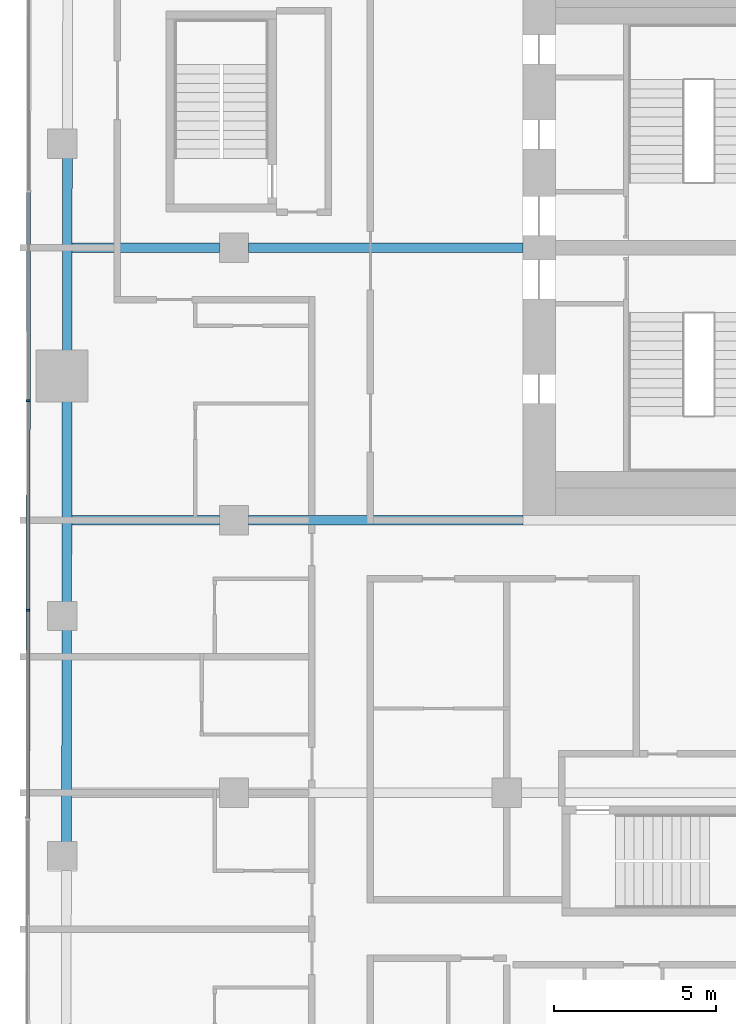
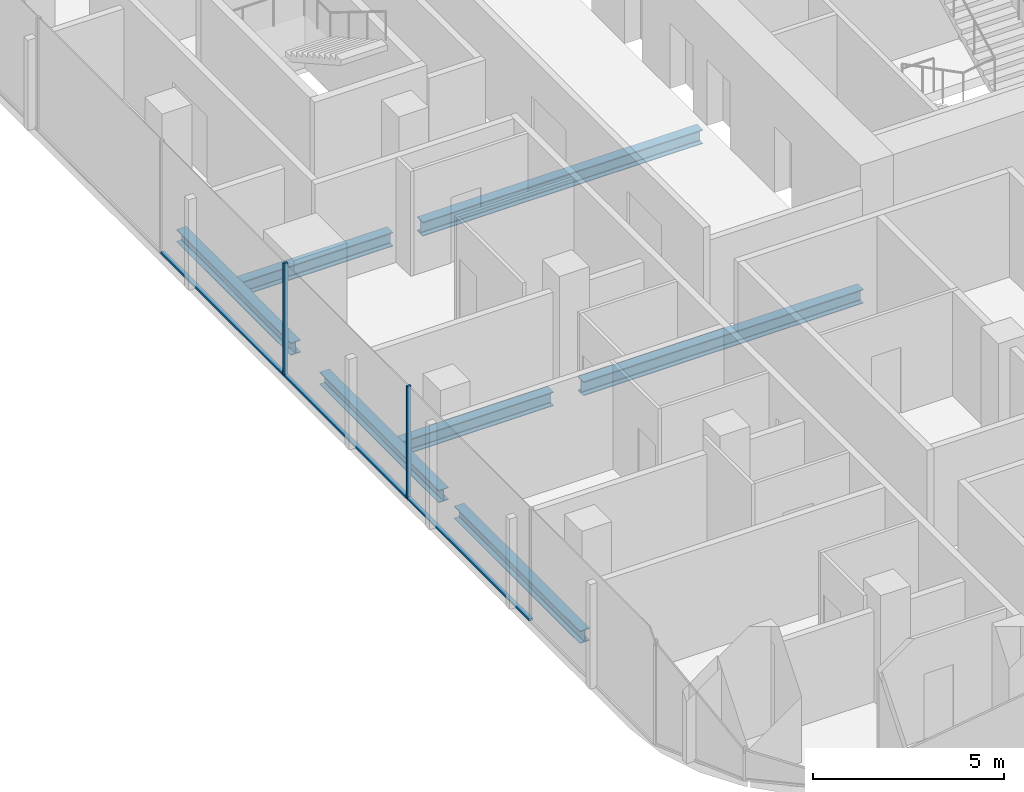
# One storey, part 4 of 23: 7 beams, 5 members, 1 element without a shape of its own.
"""IFC4 building model written with IfcOpenShell, lengths in metres."""

from ifc_helpers import new_model, si_unit, direction, frame, origin, origin_2d, place, context, subcontext, project, spatial, rectangle, i_section, extrude, material, layer, layer_set, material_profile, profile_set, type_object, element, aggregate, save


model = new_model("IFC4")

# Units and contexts
model_context = context("Model", 3, precision=1e-05, world=origin(), true_north=direction((0.0, 1.0)))
body_context = subcontext(model_context, "Body", "Model", "MODEL_VIEW")
ifc_project = project(units=[si_unit("LENGTHUNIT", "METRE"), si_unit("AREAUNIT", "SQUARE_METRE"), si_unit("VOLUMEUNIT", "CUBIC_METRE"), si_unit("PLANEANGLEUNIT", "RADIAN"), si_unit("MASSUNIT", "GRAM", prefix="KILO")], contexts=[model_context])

# Site, building, storey
site_placement = place(None, origin())
site = spatial("IfcSite", under=ifc_project, at=site_placement, CompositionType="ELEMENT")
building_placement = place(site_placement, origin())
building = spatial("IfcBuilding", under=site, at=building_placement, Name="Marenta Gate Hotel Tower", CompositionType="ELEMENT")
storey_placement = place(building_placement, frame((0.0, 0.0, 148.10009765625)))
storey = spatial("IfcBuildingStorey", under=building, at=storey_placement, Name="L34", CompositionType="ELEMENT", Elevation=148.10009765625)

# Beams
ifc_material_1 = material(Name="Steel S355", Category="steel")
ifc_material_profile_1 = material_profile(ifc_material_1, i_section(OverallWidth=0.300048828125, OverallDepth=0.39990234375, WebThickness=0.013427734375, FlangeThickness=0.02392578125, FilletRadius=0.027099609375, at=origin_2d()), Name="HEB 400")
ifc_profile_set_1 = profile_set([ifc_material_profile_1], Name="Steel S355")
beam_type_1 = type_object("IfcBeamType", Name="Edge beam HEB 400", PredefinedType="SPANDREL", material=ifc_profile_set_1)
beam_1_placement = place(storey_placement, frame((-26.167236328125, -9.94189453125, -0.460205078125), z_axis=(0.001372605919, 0.999999057976, 0.0), x_axis=(-0.999999057976, 0.001372605919, 0.0)))
element("IfcBeam", 1, at=beam_1_placement, inside=storey, type_object=beam_type_1, Name="L34-EB-6", PredefinedType="SPANDREL", context=body_context, shape_type="SweptSolid", body=[
    extrude(i_section(OverallWidth=0.300048828125, OverallDepth=0.39990234375, WebThickness=0.013427734375, FlangeThickness=0.02392578125, FilletRadius=0.027099609375, at=origin_2d()), origin(), (0.0, 0.0, 1.0), 6.5810546875),
])
beam_2_placement = place(storey_placement, frame((-26.156982421875, -2.541015625, -0.460205078125), z_axis=(0.001371364591, 0.999999059679, 0.0), x_axis=(-0.999999059679, 0.001371364591, 0.0)))
element("IfcBeam", 2, at=beam_2_placement, inside=storey, type_object=beam_type_1, Name="L34-EB-7", PredefinedType="SPANDREL", context=body_context, shape_type="SweptSolid", body=[
    extrude(i_section(OverallWidth=0.300048828125, OverallDepth=0.39990234375, WebThickness=0.013427734375, FlangeThickness=0.02392578125, FilletRadius=0.027099609375, at=origin_2d()), origin(), (0.0, 0.0, 1.0), 6.23095703125),
])
beam_3_placement = place(storey_placement, frame((-26.146484375, 5.2099609375, -0.460205078125), z_axis=(0.001387357379, 0.999999037619, 0.0), x_axis=(-0.999999037619, 0.001387357379, 0.0)))
element("IfcBeam", 3, at=beam_3_placement, inside=storey, type_object=beam_type_1, Name="L34-EB-8", PredefinedType="SPANDREL", context=body_context, shape_type="SweptSolid", body=[
    extrude(i_section(OverallWidth=0.300048828125, OverallDepth=0.39990234375, WebThickness=0.013427734375, FlangeThickness=0.02392578125, FilletRadius=0.027099609375, at=origin_2d()), origin(), (0.0, 0.0, 1.0), 5.983154296875),
])
ifc_material_2 = material(Name="Steel S355", Category="steel")
ifc_material_profile_2 = material_profile(ifc_material_2, i_section(OverallWidth=0.300048828125, OverallDepth=0.449951171875, WebThickness=0.013916015625, FlangeThickness=0.02587890625, FilletRadius=0.027099609375, at=origin_2d()), Name="HEB 450")
ifc_profile_set_2 = profile_set([ifc_material_profile_2], Name="Steel S355")
beam_type_2 = type_object("IfcBeamType", Name="Girder HEB 450", PredefinedType="BEAM", material=ifc_profile_set_2)
beam_4_placement = place(storey_placement, frame((-26.003662109375, 0.0, -0.485107421875), z_axis=(1.0, 0.0, 0.0), x_axis=(0.0, 1.0, 0.0)))
element("IfcBeam", 4, at=beam_4_placement, inside=storey, type_object=beam_type_2, Name="L34-GD-15", PredefinedType="BEAM", context=body_context, shape_type="SweptSolid", body=[
    extrude(i_section(OverallWidth=0.300048828125, OverallDepth=0.449951171875, WebThickness=0.013916015625, FlangeThickness=0.02587890625, FilletRadius=0.027099609375, at=origin_2d()), origin(), (0.0, 0.0, 1.0), 4.5537109375),
])
beam_5_placement = place(storey_placement, frame((-20.550048828125, 0.0, -0.485107421875), z_axis=(1.0, 0.0, 0.0), x_axis=(0.0, 1.0, 0.0)))
element("IfcBeam", 5, at=beam_5_placement, inside=storey, type_object=beam_type_2, Name="L34-GD-16", PredefinedType="BEAM", context=body_context, shape_type="SweptSolid", body=[
    extrude(i_section(OverallWidth=0.300048828125, OverallDepth=0.449951171875, WebThickness=0.013916015625, FlangeThickness=0.02587890625, FilletRadius=0.027099609375, at=origin_2d()), origin(), (0.0, 0.0, 1.0), 8.449951171875),
])
beam_6_placement = place(storey_placement, frame((-25.991943359375, 8.39990234375, -0.485107421875), z_axis=(1.0, 0.0, 0.0), x_axis=(0.0, 1.0, 0.0)))
element("IfcBeam", 6, at=beam_6_placement, inside=storey, type_object=beam_type_2, Name="L34-GD-20", PredefinedType="BEAM", context=body_context, shape_type="SweptSolid", body=[
    extrude(i_section(OverallWidth=0.300048828125, OverallDepth=0.449951171875, WebThickness=0.013916015625, FlangeThickness=0.02587890625, FilletRadius=0.027099609375, at=origin_2d()), origin(), (0.0, 0.0, 1.0), 4.5419921875),
])
beam_7_placement = place(storey_placement, frame((-20.550048828125, 8.39990234375, -0.485107421875), z_axis=(1.0, 0.0, 0.0), x_axis=(0.0, 1.0, 0.0)))
element("IfcBeam", 7, at=beam_7_placement, inside=storey, type_object=beam_type_2, Name="L34-GD-21", PredefinedType="BEAM", context=body_context, shape_type="SweptSolid", body=[
    extrude(i_section(OverallWidth=0.300048828125, OverallDepth=0.449951171875, WebThickness=0.013916015625, FlangeThickness=0.02587890625, FilletRadius=0.027099609375, at=origin_2d()), origin(), (0.0, 0.0, 1.0), 8.449951171875),
])

# Curtain wall, members
ifc_material_3 = material(Name="Tinted insulated glass in bronze anodised frame", Category="glass")
ifc_layer = layer(ifc_material_3, 0.1201171875)
ifc_layer_set = layer_set([ifc_layer], Name="Tinted insulated glass in bronze anodised frame")
curtain_wall_type = type_object("IfcCurtainWallType", Name="Tower unitised curtain wall CW1", PredefinedType="NOTDEFINED", material=ifc_layer_set)
curtain_wall_placement = place(storey_placement, origin())
curtain_wall = element("IfcCurtainWall", 8, at=curtain_wall_placement, inside=storey, type_object=curtain_wall_type, Name="CW1 run G03", PredefinedType="NOTDEFINED")
ifc_material_4 = material(Name="Bronze anodised aluminium", Category="aluminium")
ifc_material_profile_3 = material_profile(ifc_material_4, rectangle(XDim=0.1201171875, YDim=0.06005859375, at=origin_2d()), Name="Mullion CW1 60x120 bronze anodised aluminium")
ifc_profile_set_3 = profile_set([ifc_material_profile_3], Name="Bronze anodised aluminium")
member_type_1 = type_object("IfcMemberType", Name="Mullion CW1 60x120 bronze anodised aluminium", PredefinedType="MULLION", material=ifc_profile_set_3)
member_1_placement = place(storey_placement, frame((-27.342529296875, 3.686279296875, 0.0), z_axis=(0.0, 0.0, 1.0), x_axis=(0.99999877375, -0.001566045546, 0.0)))
member_1 = element("IfcMember", 9, at=member_1_placement, type_object=member_type_1, Name="CW1 mullion 4", PredefinedType="MULLION", context=body_context, shape_type="SweptSolid", body=[
    extrude(rectangle(XDim=0.1201171875, YDim=0.06005859375, at=origin_2d()), origin(), (0.0, 0.0, 1.0), 3.599853515625),
])
member_2_placement = place(storey_placement, frame((-27.352783203125, -2.773681640625, 0.0), z_axis=(0.0, 0.0, 1.0), x_axis=(0.99999877375, -0.001566045546, 0.0)))
member_2 = element("IfcMember", 10, at=member_2_placement, type_object=member_type_1, Name="CW1 mullion 5", PredefinedType="MULLION", context=body_context, shape_type="SweptSolid", body=[
    extrude(rectangle(XDim=0.1201171875, YDim=0.06005859375, at=origin_2d()), origin(), (0.0, 0.0, 1.0), 3.599853515625),
])
ifc_material_5 = material(Name="Bronze anodised aluminium", Category="aluminium")
ifc_material_profile_4 = material_profile(ifc_material_5, rectangle(XDim=0.1201171875, YDim=0.06005859375, at=origin_2d()), Name="Transom CW1 60x120 bronze anodised aluminium")
ifc_profile_set_4 = profile_set([ifc_material_profile_4], Name="Bronze anodised aluminium")
member_type_2 = type_object("IfcMemberType", Name="Transom CW1 60x120 bronze anodised aluminium", PredefinedType="USERDEFINED", material=ifc_profile_set_4)
member_3_placement = place(storey_placement, frame((-27.33251953125, 10.1162109375, 0.02978515625), z_axis=(-0.001564047831, -0.999998776876, 0.0), x_axis=(0.999998776876, -0.001564047831, 0.0)))
member_3 = element("IfcMember", 11, at=member_3_placement, type_object=member_type_2, Name="CW1 transom 3.1", ObjectType="TRANSOM", PredefinedType="USERDEFINED", context=body_context, shape_type="SweptSolid", body=[
    extrude(rectangle(XDim=0.1201171875, YDim=0.06005859375, at=origin_2d()), origin(), (0.0, 0.0, 1.0), 6.39990234375),
])
member_4_placement = place(storey_placement, frame((-27.3427734375, 3.65625, 0.02978515625), z_axis=(-0.001563988169, -0.99999877697, 0.0), x_axis=(0.99999877697, -0.001563988169, 0.0)))
member_4 = element("IfcMember", 12, at=member_4_placement, type_object=member_type_2, Name="CW1 transom 4.1", ObjectType="TRANSOM", PredefinedType="USERDEFINED", context=body_context, shape_type="SweptSolid", body=[
    extrude(rectangle(XDim=0.1201171875, YDim=0.06005859375, at=origin_2d()), origin(), (0.0, 0.0, 1.0), 6.400146484375),
])
member_5_placement = place(storey_placement, frame((-27.352783203125, -2.8037109375, 0.02978515625), z_axis=(-0.001563988169, -0.99999877697, 0.0), x_axis=(0.99999877697, -0.001563988169, 0.0)))
member_5 = element("IfcMember", 13, at=member_5_placement, type_object=member_type_2, Name="CW1 transom 5.1", ObjectType="TRANSOM", PredefinedType="USERDEFINED", context=body_context, shape_type="SweptSolid", body=[
    extrude(rectangle(XDim=0.1201171875, YDim=0.06005859375, at=origin_2d()), origin(), (0.0, 0.0, 1.0), 6.400146484375),
])
aggregate(curtain_wall, [member_1, member_2, member_3, member_4, member_5])

save(model, "model.ifc")
